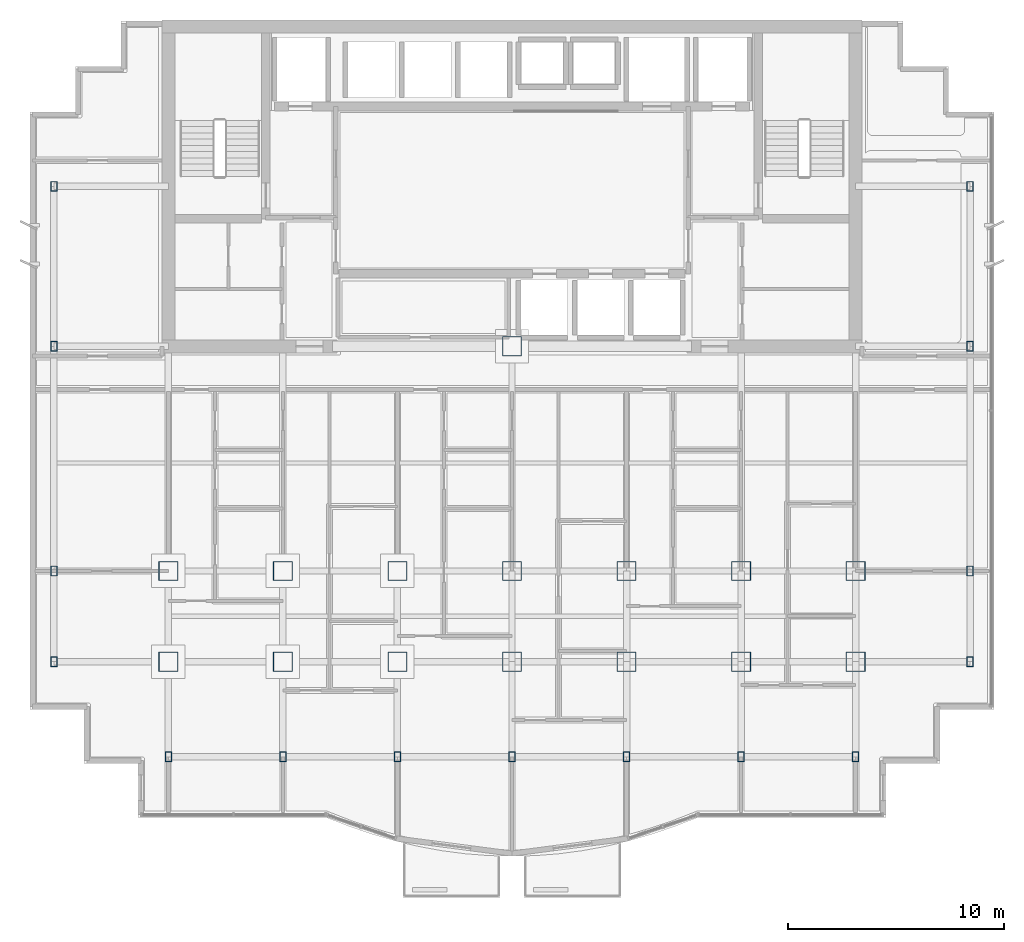
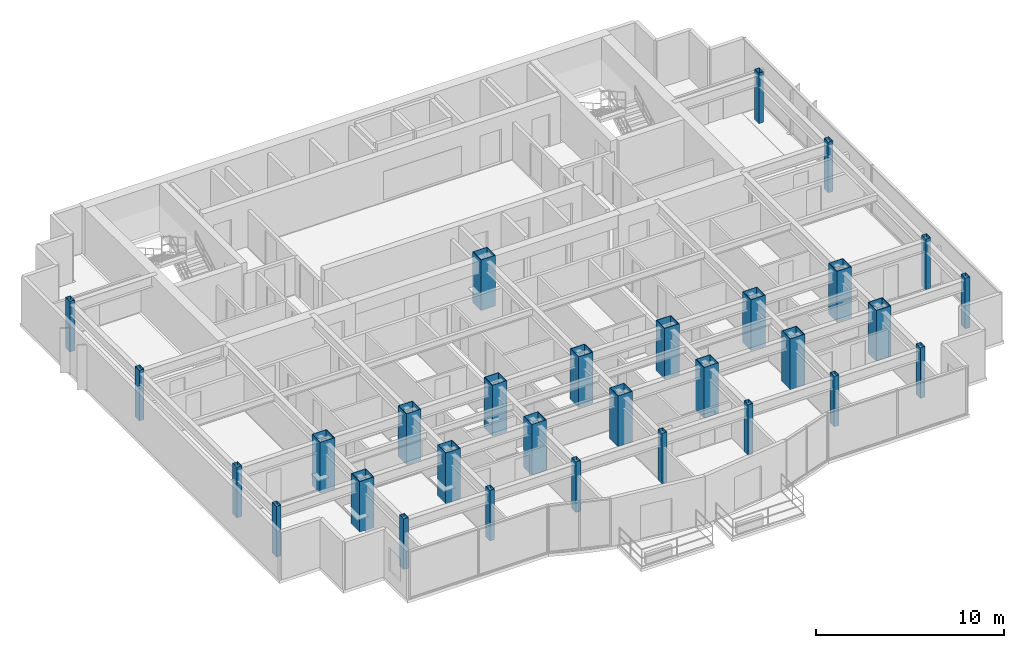
# One storey, part 1 of 13: 30 columns.
"""IFC4 building model written with IfcOpenShell, lengths in metres."""

from ifc_helpers import new_model, si_unit, direction, frame, origin, origin_2d, place, context, subcontext, project, spatial, hollow_rectangle, extrude, material, material_profile, profile_set, type_object, element, save


model = new_model("IFC4")

# Units and contexts
model_context = context("Model", 3, precision=1e-05, world=origin(), true_north=direction((0.0, 1.0)))
body_context = subcontext(model_context, "Body", "Model", "MODEL_VIEW")
ifc_project = project(units=[si_unit("LENGTHUNIT", "METRE"), si_unit("AREAUNIT", "SQUARE_METRE"), si_unit("VOLUMEUNIT", "CUBIC_METRE"), si_unit("PLANEANGLEUNIT", "RADIAN"), si_unit("MASSUNIT", "GRAM", prefix="KILO")], contexts=[model_context])

# Site, building, storey
site_placement = place(None, origin())
site = spatial("IfcSite", under=ifc_project, at=site_placement, CompositionType="ELEMENT")
building_placement = place(site_placement, origin())
building = spatial("IfcBuilding", under=site, at=building_placement, Name="Qianlan Lanfeng Residences", CompositionType="ELEMENT")
storey_placement = place(building_placement, frame((0.0, 0.0, 162.300048828125)))
storey = spatial("IfcBuildingStorey", under=building, at=storey_placement, Name="L44", CompositionType="ELEMENT", Elevation=162.300048828125)

# Columns
ifc_material = material(Name="Steel SN490B", Category="steel")
ifc_material_profile_1 = material_profile(ifc_material, hollow_rectangle(XDim=0.89990234375, YDim=0.89990234375, WallThickness=0.031982421875, at=origin_2d()), Name="BOX 900x900x32")
ifc_profile_set_1 = profile_set([ifc_material_profile_1], Name="Steel SN490B")
column_type_1 = type_object("IfcColumnType", Name="C-B1000", PredefinedType="COLUMN", material=ifc_profile_set_1)
for number, where, z_axis, x_axis, name in (
    (1, (26.5, 25.199951171875, 0.0), (0.0, 0.0, 1.0), (1.0, 0.0, 0.0), "L44 Structural Column CP_26.5_25.2"),
    (2, (10.60009765625, 14.800048828125, 0.0), (0.0, 0.0, 1.0), (1.0, 0.0, 0.0), "L44 Structural Column M_10.60_14.80"),
    (3, (10.60009765625, 10.60009765625, 0.0), (0.0, 0.0, 1.0), (1.0, 0.0, 0.0), "L44 Structural Column G_10.60_10.60"),
    (4, (15.89990234375, 14.800048828125, 0.0), (0.0, 0.0, 1.0), (1.0, 0.0, 0.0), "L44 Structural Column M_15.90_14.80"),
    (5, (15.89990234375, 10.60009765625, 0.0), (0.0, 0.0, 1.0), (1.0, 0.0, 0.0), "L44 Structural Column G_15.90_10.60"),
    (6, (21.199951171875, 14.800048828125, 0.0), (0.0, 0.0, 1.0), (1.0, 0.0, 0.0), "L44 Structural Column M_21.20_14.80"),
    (7, (21.199951171875, 10.60009765625, 0.0), (0.0, 0.0, 1.0), (1.0, 0.0, 0.0), "L44 Structural Column G_21.20_10.60"),
    (8, (26.5, 14.800048828125, 0.0), (0.0, 0.0, 1.0), (1.0, 0.0, 0.0), "L44 Structural Column M_26.50_14.80"),
    (9, (26.5, 10.60009765625, 0.0), (0.0, 0.0, 1.0), (1.0, 0.0, 0.0), "L44 Structural Column G_26.50_10.60"),
    (10, (31.800048828125, 14.800048828125, 0.0), (0.0, 0.0, 1.0), (1.0, 0.0, 0.0), "L44 Structural Column M_31.80_14.80"),
    (11, (31.800048828125, 10.60009765625, 0.0), (0.0, 0.0, 1.0), (1.0, 0.0, 0.0), "L44 Structural Column G_31.80_10.60"),
    (12, (37.10009765625, 14.800048828125, 0.0), (0.0, 0.0, 1.0), (1.0, 0.0, 0.0), "L44 Structural Column M_37.10_14.80"),
    (13, (37.10009765625, 10.60009765625, 0.0), (0.0, 0.0, 1.0), (1.0, 0.0, 0.0), "L44 Structural Column G_37.10_10.60"),
    (14, (42.39990234375, 14.800048828125, 0.0), (0.0, 0.0, 1.0), (1.0, 0.0, 0.0), "L44 Structural Column M_42.40_14.80"),
    (15, (42.39990234375, 10.60009765625, 0.0), (0.0, 0.0, 1.0), (1.0, 0.0, 0.0), "L44 Structural Column G_42.40_10.60"),
):
    element("IfcColumn", number, at=place(storey_placement, frame(where, z_axis=z_axis, x_axis=x_axis)), inside=storey, type_object=column_type_1, Name=name, PredefinedType="COLUMN", context=body_context, shape_type="SweptSolid", body=[
        extrude(hollow_rectangle(XDim=0.89990234375, YDim=0.89990234375, WallThickness=0.031982421875, at=origin_2d()), origin(), (0.0, 0.0, 1.0), 3.300048828125),
    ])
ifc_material_profile_2 = material_profile(ifc_material, hollow_rectangle(XDim=0.300048828125, YDim=0.449951171875, WallThickness=0.01611328125, at=origin_2d()), Name="RHS 450x300x16")
ifc_profile_set_2 = profile_set([ifc_material_profile_2], Name="Steel SN490B")
column_type_2 = type_object("IfcColumnType", Name="CE-B950", PredefinedType="COLUMN", material=ifc_profile_set_2)
for number, where, z_axis, x_axis, name in (
    (16, (10.60009765625, 6.199951171875, 0.0), (0.0, 0.0, 1.0), (1.0, 0.0, 0.0), "L44 Structural Column S_10.60_6.20"),
    (17, (15.89990234375, 6.199951171875, 0.0), (0.0, 0.0, 1.0), (1.0, 0.0, 0.0), "L44 Structural Column S_15.90_6.20"),
    (18, (21.199951171875, 6.199951171875, 0.0), (0.0, 0.0, 1.0), (1.0, 0.0, 0.0), "L44 Structural Column S_21.20_6.20"),
    (19, (26.5, 6.199951171875, 0.0), (0.0, 0.0, 1.0), (1.0, 0.0, 0.0), "L44 Structural Column S_26.50_6.20"),
    (20, (31.800048828125, 6.199951171875, 0.0), (0.0, 0.0, 1.0), (1.0, 0.0, 0.0), "L44 Structural Column S_31.80_6.20"),
    (21, (37.10009765625, 6.199951171875, 0.0), (0.0, 0.0, 1.0), (1.0, 0.0, 0.0), "L44 Structural Column S_37.10_6.20"),
    (22, (42.39990234375, 6.199951171875, 0.0), (0.0, 0.0, 1.0), (1.0, 0.0, 0.0), "L44 Structural Column S_42.40_6.20"),
    (23, (5.300048828125, 10.60009765625, 0.0), (0.0, 0.0, 1.0), (1.0, 0.0, 0.0), "L44 Structural Column W_5.30_10.60"),
    (24, (5.300048828125, 14.800048828125, 0.0), (0.0, 0.0, 1.0), (1.0, 0.0, 0.0), "L44 Structural Column W_5.30_14.80"),
    (25, (5.300048828125, 25.199951171875, 0.0), (0.0, 0.0, 1.0), (1.0, 0.0, 0.0), "L44 Structural Column W_5.30_25.20"),
    (26, (5.300048828125, 32.60009765625, 0.0), (0.0, 0.0, 1.0), (1.0, 0.0, 0.0), "L44 Structural Column W_5.30_32.60"),
    (27, (47.699951171875, 10.60009765625, 0.0), (0.0, 0.0, 1.0), (1.0, 0.0, 0.0), "L44 Structural Column W_47.70_10.60"),
    (28, (47.699951171875, 14.800048828125, 0.0), (0.0, 0.0, 1.0), (1.0, 0.0, 0.0), "L44 Structural Column W_47.70_14.80"),
    (29, (47.699951171875, 25.199951171875, 0.0), (0.0, 0.0, 1.0), (1.0, 0.0, 0.0), "L44 Structural Column W_47.70_25.20"),
    (30, (47.699951171875, 32.60009765625, 0.0), (0.0, 0.0, 1.0), (1.0, 0.0, 0.0), "L44 Structural Column W_47.70_32.60"),
):
    element("IfcColumn", number, at=place(storey_placement, frame(where, z_axis=z_axis, x_axis=x_axis)), inside=storey, type_object=column_type_2, Name=name, PredefinedType="COLUMN", context=body_context, shape_type="SweptSolid", body=[
        extrude(hollow_rectangle(XDim=0.300048828125, YDim=0.449951171875, WallThickness=0.01611328125, at=origin_2d()), origin(), (0.0, 0.0, 1.0), 3.300048828125),
    ])

save(model, "model.ifc")
